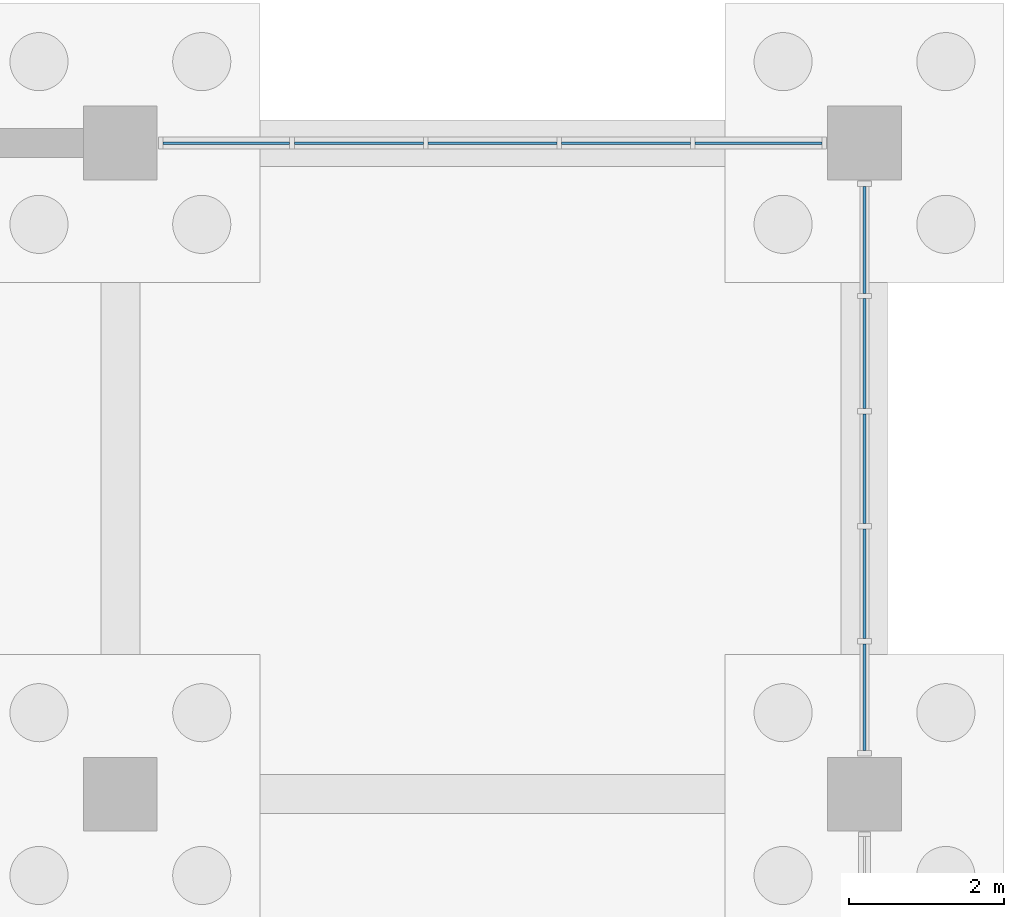
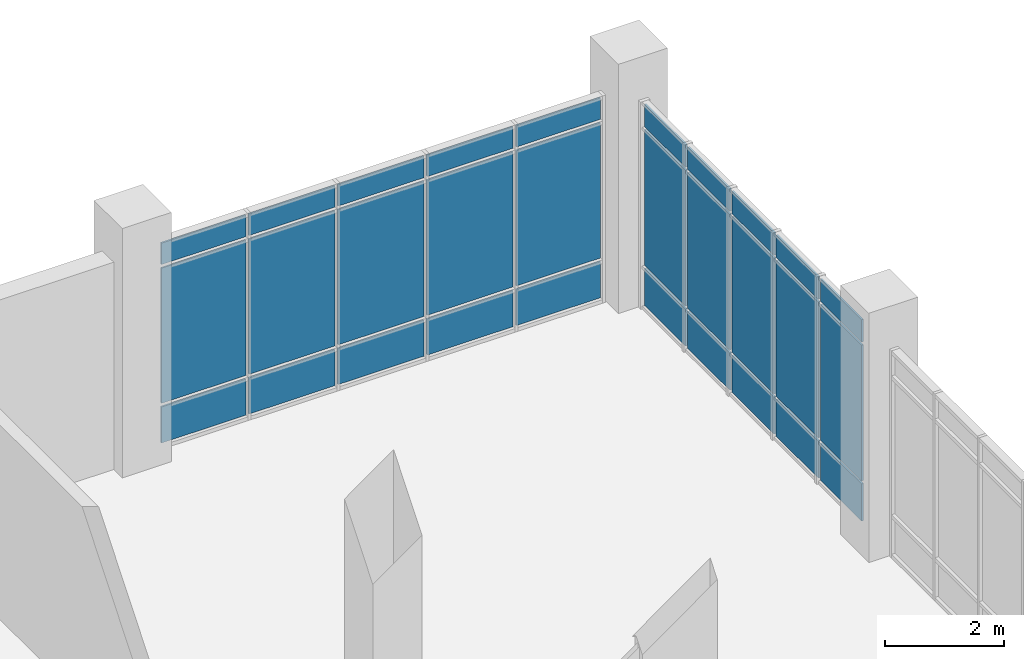
# One storey, part 93 of 136: 30 plates, 2 elements without a shape of their own.
"""IFC4 building model written with IfcOpenShell, lengths in metres."""

import ifcopenshell
import ifcopenshell.guid

model = None  # the IFC model being written
_history = None  # IfcOwnerHistory: only IFC2X3 demands one
_inside = {}  # id of a spatial element -> (the spatial element, [elements in it])
_under = {}  # id of a project, library or spatial element -> (it, [spatial elements below it])
_declared = {}  # id of a project -> (the project, [libraries it declares])
_typed = {}  # id of a type object -> (the type object, [elements of that type])
_made_of = {}  # id of a material, layer set ... -> (it, [elements and type objects made of it])


def new_model(schema):
    """Start an empty IFC model of exactly this schema.

    Asked for "IFC4X3", IfcOpenShell would pick the latest addendum, in which some entities
    have other attributes; the version numbers below select the first issue.
    IFC2X3 requires an IfcOwnerHistory on every rooted entity: one is made here for all.
    """
    global model, _history
    if schema == "IFC4X3":
        model = ifcopenshell.file(schema_version=(4, 3, 0, 0))
    else:
        model = ifcopenshell.file(schema=schema)
    _inside.clear()
    _under.clear()
    _declared.clear()
    _typed.clear()
    _made_of.clear()
    _history = None
    if model.schema == "IFC2X3":
        org = make("IfcOrganization", Name="unknown")
        user = make(
            "IfcPersonAndOrganization",
            ThePerson=make("IfcPerson", FamilyName="unknown"),
            TheOrganization=org,
        )
        app = make(
            "IfcApplication",
            ApplicationDeveloper=org,
            Version="unknown",
            ApplicationFullName="unknown",
            ApplicationIdentifier="unknown",
        )
        _history = make(
            "IfcOwnerHistory",
            OwningUser=user,
            OwningApplication=app,
            ChangeAction="ADDED",
            CreationDate=0,
        )
    return model


def make(cls, **values):
    """One entity of the class cls with the attributes given. An attribute that is None is left unset."""
    return model.create_entity(
        cls, **{name: value for name, value in values.items() if value is not None}
    )


def rooted(cls, **values):
    """An entity with a GlobalId (a new one), such as an element, a storey or a relation."""
    return make(cls, GlobalId=ifcopenshell.guid.new(), OwnerHistory=_history, **values)


def si_unit(unit_type, name, prefix=None):
    """IfcSIUnit, for example si_unit("LENGTHUNIT", "METRE", prefix="MILLI")."""
    return make("IfcSIUnit", UnitType=unit_type, Prefix=prefix, Name=name)


def assignment(units):
    """IfcUnitAssignment: the units of a project."""
    return None if units is None else make("IfcUnitAssignment", Units=units)


def point(xyz):
    """IfcCartesianPoint."""
    return None if xyz is None else make("IfcCartesianPoint", Coordinates=xyz)


def direction(xyz):
    """IfcDirection."""
    return None if xyz is None else make("IfcDirection", DirectionRatios=xyz)


def frame(location, z_axis=None, x_axis=None):
    """IfcAxis2Placement3D, a coordinate frame: its origin and axes. An axis left out is left unset."""
    return make(
        "IfcAxis2Placement3D",
        Location=point(location),
        Axis=direction(z_axis),
        RefDirection=direction(x_axis),
    )


def frame_2d(location, x_axis=None):
    """IfcAxis2Placement2D, a coordinate frame in the plane: its origin and x axis."""
    return make(
        "IfcAxis2Placement2D", Location=point(location), RefDirection=direction(x_axis)
    )


def origin():
    """The frame at (0, 0, 0) with its axes left unset."""
    return frame((0.0, 0.0, 0.0))


def origin_2d():
    """The frame at (0, 0) in the plane with its x axis left unset."""
    return frame_2d((0.0, 0.0))


def place(relative_to, where):
    """IfcLocalPlacement: puts the frame where relative to a parent placement (None: the world)."""
    return make(
        "IfcLocalPlacement", PlacementRelTo=relative_to, RelativePlacement=where
    )


def context(
    kind, dimensions, precision=None, world=None, true_north=None, identifier=None
):
    """IfcGeometricRepresentationContext, for example the 3D "Model" context."""
    return make(
        "IfcGeometricRepresentationContext",
        ContextIdentifier=identifier,
        ContextType=kind,
        CoordinateSpaceDimension=dimensions,
        Precision=precision,
        WorldCoordinateSystem=world,
        TrueNorth=true_north,
    )


def subcontext(parent, identifier, kind, view, scale=None):
    """IfcGeometricRepresentationSubContext, for example "Body" below "Model"."""
    return make(
        "IfcGeometricRepresentationSubContext",
        ContextIdentifier=identifier,
        ContextType=kind,
        ParentContext=parent,
        TargetScale=scale,
        TargetView=view,
    )


def project(units=None, contexts=None):
    """IfcProject with its units and contexts."""
    return rooted(
        "IfcProject",
        Name="project",
        RepresentationContexts=contexts,
        UnitsInContext=assignment(units),
    )


def spatial(cls, under=None, at=None, **own):
    """A site, building, storey or space (cls), placed at a placement, below another one or the project."""
    s = rooted(cls, ObjectPlacement=at, **own)
    if under is not None:
        _under.setdefault(under.id(), (under, []))[1].append(s)
    return s


def profile(cls, at=None, kind="AREA", **sizes):
    """A parametric profile (cls). Its sizes go by their IFC names, for example OverallWidth=200.0."""
    return make(cls, ProfileType=kind, Position=at, **sizes)


def rectangle(**sizes):
    """IfcRectangleProfileDef."""
    return profile("IfcRectangleProfileDef", **sizes)


def extrude(swept, where, along, depth):
    """IfcExtrudedAreaSolid: the profile swept, set in the frame where, extruded along a direction by depth."""
    return make(
        "IfcExtrudedAreaSolid",
        SweptArea=swept,
        Position=where,
        ExtrudedDirection=direction(along),
        Depth=depth,
    )


def shape(context_of_items, identifier, shape_type, items):
    """IfcShapeRepresentation: the items that make up one representation, for example the "Body"."""
    return make(
        "IfcShapeRepresentation",
        ContextOfItems=context_of_items,
        RepresentationIdentifier=identifier,
        RepresentationType=shape_type,
        Items=items,
    )


def material(Name=None, Category=None):
    """IfcMaterial."""
    return make("IfcMaterial", Name=Name, Category=Category)


def layer(
    of_material, thickness, ventilated=None, Name=None, Category=None, Priority=None
):
    """IfcMaterialLayer: one layer of a wall or slab, of a material (None: an air gap)."""
    return make(
        "IfcMaterialLayer",
        Material=of_material,
        LayerThickness=thickness,
        IsVentilated=ventilated,
        Name=Name,
        Category=Category,
        Priority=Priority,
    )


def layer_set(layers, Name=None):
    """IfcMaterialLayerSet."""
    return make("IfcMaterialLayerSet", MaterialLayers=layers, LayerSetName=Name)


def made_of(thing, what):
    """Note that an element or type object is made of a material, layer set ...; save() writes the relation."""
    if what is not None:
        _made_of.setdefault(what.id(), (what, []))[1].append(thing)
    return thing


def type_object(cls, material=None, **own):
    """A type object (cls), such as IfcWallType, which elements share."""
    return made_of(rooted(cls, **own), material)


def element(
    cls,
    number,
    at=None,
    inside=None,
    cuts=None,
    type_object=None,
    material=None,
    context=None,
    identifier="Body",
    shape_type=None,
    held_by="IfcProductDefinitionShape",
    body=None,
    shapes=None,
    **own,
):
    """One element of the class cls, such as IfcWall. Its Tag is "e" and its number.

    at: its placement. inside: the storey or other place that contains it. cuts: it is an
    opening in that element (IfcRelVoidsElement). A single representation is given by context,
    identifier, shape_type and body (its items); several are given by shapes. held_by: the class
    of the entity that holds the representations. save() writes the other relations.
    """
    e = rooted(cls, Tag="e%d" % number, ObjectPlacement=at, **own)
    if body is not None:
        shapes = [shape(context, identifier, shape_type, body)]
    if shapes is not None:
        e.Representation = make(held_by, Representations=shapes)
    if inside is not None:
        _inside.setdefault(inside.id(), (inside, []))[1].append(e)
    if cuts is not None:
        rooted(
            "IfcRelVoidsElement", RelatingBuildingElement=cuts, RelatedOpeningElement=e
        )
    if type_object is not None:
        _typed.setdefault(type_object.id(), (type_object, []))[1].append(e)
    return made_of(e, material)


def aggregate(whole, parts):
    """IfcRelAggregates: a whole, such as a stair, and the parts it consists of."""
    return rooted("IfcRelAggregates", RelatingObject=whole, RelatedObjects=parts)


def save(model, path):
    """Write the relations noted so far, then the file.

    IfcRelAggregates (storeys below a building ...), IfcRelContainedInSpatialStructure (elements
    in a storey), IfcRelDefinesByType, IfcRelAssociatesMaterial and IfcRelDeclares: one each for
    every whole, place, type object, material and project.
    """
    for whole, parts in _under.values():
        aggregate(whole, parts)
    for where, things in _inside.values():
        rooted(
            "IfcRelContainedInSpatialStructure",
            RelatedElements=things,
            RelatingStructure=where,
        )
    for kind, things in _typed.values():
        rooted("IfcRelDefinesByType", RelatedObjects=things, RelatingType=kind)
    for what, things in _made_of.values():
        rooted("IfcRelAssociatesMaterial", RelatedObjects=things, RelatingMaterial=what)
    for by, libraries in _declared.values():
        rooted("IfcRelDeclares", RelatingContext=by, RelatedDefinitions=libraries)
    model.write(path)


model = new_model("IFC4")

# Units and contexts
model_context = context("Model", 3, precision=1e-05, world=origin(), true_north=direction((0.0, 1.0)))
body_context = subcontext(model_context, "Body", "Model", "MODEL_VIEW")
ifc_project = project(units=[si_unit("LENGTHUNIT", "METRE"), si_unit("AREAUNIT", "SQUARE_METRE"), si_unit("VOLUMEUNIT", "CUBIC_METRE"), si_unit("PLANEANGLEUNIT", "RADIAN"), si_unit("MASSUNIT", "GRAM", prefix="KILO")], contexts=[model_context])

# Site, building, storey
site_placement = place(None, origin())
site = spatial("IfcSite", under=ifc_project, at=site_placement, CompositionType="ELEMENT")
building_placement = place(site_placement, origin())
building = spatial("IfcBuilding", under=site, at=building_placement, Name="Oolite Switchyard Hospital", CompositionType="ELEMENT")
storey_placement = place(building_placement, origin())
storey = spatial("IfcBuildingStorey", under=building, at=storey_placement, Name="L00", CompositionType="ELEMENT", Elevation=0.0)

# Curtain wall, plates
ifc_material_1 = material(Name="Thermally broken aluminum frame with laminated impact glazing", Category="aluminium")
curtain_wall_type_1 = type_object("IfcCurtainWallType", Name="CW-UNIT-96X51", PredefinedType="USERDEFINED", material=ifc_material_1)
curtain_wall_1_placement = place(storey_placement, origin())
curtain_wall_1 = element("IfcCurtainWall", 1, at=curtain_wall_1_placement, inside=storey, type_object=curtain_wall_type_1, Name="L00 Unitised Curtain Wall 51", ObjectType="UNITISED", PredefinedType="USERDEFINED")
ifc_material_2 = material(Name="Laminated hurricane-impact insulated glazing unit", Category="glass")
ifc_layer_1 = layer(ifc_material_2, 0.031982421875)
ifc_layer_set_1 = layer_set([ifc_layer_1], Name="CW-PNL-VIS32")
plate_type_1 = type_object("IfcPlateType", Name="CW-PNL-VIS32", PredefinedType="CURTAIN_PANEL", material=ifc_layer_set_1)
plate_1_placement = place(storey_placement, frame((202.967041015625, 134.39990234375, 0.0751953125), z_axis=(0.0, 0.0, 1.0), x_axis=(1.0, 0.0, 0.0)))
plate_1 = element("IfcPlate", 2, at=plate_1_placement, type_object=plate_type_1, Name="CW-01 panel 1.1", PredefinedType="CURTAIN_PANEL", context=body_context, shape_type="SweptSolid", body=[
    extrude(rectangle(XDim=1.634033203125, YDim=0.031982421875, at=origin_2d()), origin(), (0.0, 0.0, 1.0), 0.737548828125),
])
plate_2_placement = place(storey_placement, frame((202.967041015625, 134.39990234375, 0.8876953125), z_axis=(0.0, 0.0, 1.0), x_axis=(1.0, 0.0, 0.0)))
plate_2 = element("IfcPlate", 3, at=plate_2_placement, type_object=plate_type_1, Name="CW-01 panel 1.2", PredefinedType="CURTAIN_PANEL", context=body_context, shape_type="SweptSolid", body=[
    extrude(rectangle(XDim=1.634033203125, YDim=0.031982421875, at=origin_2d()), origin(), (0.0, 0.0, 1.0), 2.764892578125),
])
plate_3_placement = place(storey_placement, frame((202.967041015625, 134.39990234375, 3.7275390625), z_axis=(0.0, 0.0, 1.0), x_axis=(1.0, 0.0, 0.0)))
plate_3 = element("IfcPlate", 4, at=plate_3_placement, type_object=plate_type_1, Name="CW-01 panel 1.3", PredefinedType="CURTAIN_PANEL", context=body_context, shape_type="SweptSolid", body=[
    extrude(rectangle(XDim=1.634033203125, YDim=0.031982421875, at=origin_2d()), origin(), (0.0, 0.0, 1.0), 0.4375),
])
plate_4_placement = place(storey_placement, frame((204.676025390625, 134.39990234375, 0.0751953125), z_axis=(0.0, 0.0, 1.0), x_axis=(1.0, 0.0, 0.0)))
plate_4 = element("IfcPlate", 5, at=plate_4_placement, type_object=plate_type_1, Name="CW-01 panel 2.1", PredefinedType="CURTAIN_PANEL", context=body_context, shape_type="SweptSolid", body=[
    extrude(rectangle(XDim=1.6640625, YDim=0.031982421875, at=origin_2d()), origin(), (0.0, 0.0, 1.0), 0.737548828125),
])
plate_5_placement = place(storey_placement, frame((204.676025390625, 134.39990234375, 0.8876953125), z_axis=(0.0, 0.0, 1.0), x_axis=(1.0, 0.0, 0.0)))
plate_5 = element("IfcPlate", 6, at=plate_5_placement, type_object=plate_type_1, Name="CW-01 panel 2.2", PredefinedType="CURTAIN_PANEL", context=body_context, shape_type="SweptSolid", body=[
    extrude(rectangle(XDim=1.6640625, YDim=0.031982421875, at=origin_2d()), origin(), (0.0, 0.0, 1.0), 2.764892578125),
])
plate_6_placement = place(storey_placement, frame((204.676025390625, 134.39990234375, 3.7275390625), z_axis=(0.0, 0.0, 1.0), x_axis=(1.0, 0.0, 0.0)))
plate_6 = element("IfcPlate", 7, at=plate_6_placement, type_object=plate_type_1, Name="CW-01 panel 2.3", PredefinedType="CURTAIN_PANEL", context=body_context, shape_type="SweptSolid", body=[
    extrude(rectangle(XDim=1.6640625, YDim=0.031982421875, at=origin_2d()), origin(), (0.0, 0.0, 1.0), 0.4375),
])
plate_7_placement = place(storey_placement, frame((206.39990234375, 134.39990234375, 0.0751953125), z_axis=(0.0, 0.0, 1.0), x_axis=(1.0, 0.0, 0.0)))
plate_7 = element("IfcPlate", 8, at=plate_7_placement, type_object=plate_type_1, Name="CW-01 panel 3.1", PredefinedType="CURTAIN_PANEL", context=body_context, shape_type="SweptSolid", body=[
    extrude(rectangle(XDim=1.6640625, YDim=0.031982421875, at=origin_2d()), origin(), (0.0, 0.0, 1.0), 0.737548828125),
])
plate_8_placement = place(storey_placement, frame((206.39990234375, 134.39990234375, 0.8876953125), z_axis=(0.0, 0.0, 1.0), x_axis=(1.0, 0.0, 0.0)))
plate_8 = element("IfcPlate", 9, at=plate_8_placement, type_object=plate_type_1, Name="CW-01 panel 3.2", PredefinedType="CURTAIN_PANEL", context=body_context, shape_type="SweptSolid", body=[
    extrude(rectangle(XDim=1.6640625, YDim=0.031982421875, at=origin_2d()), origin(), (0.0, 0.0, 1.0), 2.764892578125),
])
plate_9_placement = place(storey_placement, frame((206.39990234375, 134.39990234375, 3.7275390625), z_axis=(0.0, 0.0, 1.0), x_axis=(1.0, 0.0, 0.0)))
plate_9 = element("IfcPlate", 10, at=plate_9_placement, type_object=plate_type_1, Name="CW-01 panel 3.3", PredefinedType="CURTAIN_PANEL", context=body_context, shape_type="SweptSolid", body=[
    extrude(rectangle(XDim=1.6640625, YDim=0.031982421875, at=origin_2d()), origin(), (0.0, 0.0, 1.0), 0.4375),
])
plate_10_placement = place(storey_placement, frame((208.1240234375, 134.39990234375, 0.0751953125), z_axis=(0.0, 0.0, 1.0), x_axis=(1.0, 0.0, 0.0)))
plate_10 = element("IfcPlate", 11, at=plate_10_placement, type_object=plate_type_1, Name="CW-01 panel 4.1", PredefinedType="CURTAIN_PANEL", context=body_context, shape_type="SweptSolid", body=[
    extrude(rectangle(XDim=1.6640625, YDim=0.031982421875, at=origin_2d()), origin(), (0.0, 0.0, 1.0), 0.737548828125),
])
plate_11_placement = place(storey_placement, frame((208.1240234375, 134.39990234375, 0.8876953125), z_axis=(0.0, 0.0, 1.0), x_axis=(1.0, 0.0, 0.0)))
plate_11 = element("IfcPlate", 12, at=plate_11_placement, type_object=plate_type_1, Name="CW-01 panel 4.2", PredefinedType="CURTAIN_PANEL", context=body_context, shape_type="SweptSolid", body=[
    extrude(rectangle(XDim=1.6640625, YDim=0.031982421875, at=origin_2d()), origin(), (0.0, 0.0, 1.0), 2.764892578125),
])
plate_12_placement = place(storey_placement, frame((208.1240234375, 134.39990234375, 3.7275390625), z_axis=(0.0, 0.0, 1.0), x_axis=(1.0, 0.0, 0.0)))
plate_12 = element("IfcPlate", 13, at=plate_12_placement, type_object=plate_type_1, Name="CW-01 panel 4.3", PredefinedType="CURTAIN_PANEL", context=body_context, shape_type="SweptSolid", body=[
    extrude(rectangle(XDim=1.6640625, YDim=0.031982421875, at=origin_2d()), origin(), (0.0, 0.0, 1.0), 0.4375),
])
plate_13_placement = place(storey_placement, frame((209.8330078125, 134.39990234375, 0.0751953125), z_axis=(0.0, 0.0, 1.0), x_axis=(1.0, 0.0, 0.0)))
plate_13 = element("IfcPlate", 14, at=plate_13_placement, type_object=plate_type_1, Name="CW-01 panel 5.1", PredefinedType="CURTAIN_PANEL", context=body_context, shape_type="SweptSolid", body=[
    extrude(rectangle(XDim=1.634033203125, YDim=0.031982421875, at=origin_2d()), origin(), (0.0, 0.0, 1.0), 0.737548828125),
])
plate_14_placement = place(storey_placement, frame((209.8330078125, 134.39990234375, 0.8876953125), z_axis=(0.0, 0.0, 1.0), x_axis=(1.0, 0.0, 0.0)))
plate_14 = element("IfcPlate", 15, at=plate_14_placement, type_object=plate_type_1, Name="CW-01 panel 5.2", PredefinedType="CURTAIN_PANEL", context=body_context, shape_type="SweptSolid", body=[
    extrude(rectangle(XDim=1.634033203125, YDim=0.031982421875, at=origin_2d()), origin(), (0.0, 0.0, 1.0), 2.764892578125),
])
plate_15_placement = place(storey_placement, frame((209.8330078125, 134.39990234375, 3.7275390625), z_axis=(0.0, 0.0, 1.0), x_axis=(1.0, 0.0, 0.0)))
plate_15 = element("IfcPlate", 16, at=plate_15_placement, type_object=plate_type_1, Name="CW-01 panel 5.3", PredefinedType="CURTAIN_PANEL", context=body_context, shape_type="SweptSolid", body=[
    extrude(rectangle(XDim=1.634033203125, YDim=0.031982421875, at=origin_2d()), origin(), (0.0, 0.0, 1.0), 0.4375),
])
aggregate(curtain_wall_1, [plate_1, plate_2, plate_3, plate_4, plate_5, plate_6, plate_7, plate_8, plate_9, plate_10, plate_11, plate_12, plate_13, plate_14, plate_15])

curtain_wall_type_2 = type_object("IfcCurtainWallType", Name="CW-UNIT-84X51", PredefinedType="USERDEFINED", material=ifc_material_1)
curtain_wall_2_placement = place(storey_placement, origin())
curtain_wall_2 = element("IfcCurtainWall", 17, at=curtain_wall_2_placement, inside=storey, type_object=curtain_wall_type_2, Name="L00 Unitised Curtain Wall 94", ObjectType="UNITISED", PredefinedType="USERDEFINED")
ifc_layer_2 = layer(ifc_material_2, 0.035888671875)
ifc_layer_set_2 = layer_set([ifc_layer_2], Name="CW-PNL-VIS36")
plate_type_2 = type_object("IfcPlateType", Name="CW-PNL-VIS36", PredefinedType="CURTAIN_PANEL", material=ifc_layer_set_2)
plate_16_placement = place(storey_placement, frame((211.199951171875, 133.150390625, 0.06005859375), z_axis=(0.0, 0.0, 1.0), x_axis=(0.0, -1.0, 0.0)))
plate_16 = element("IfcPlate", 18, at=plate_16_placement, type_object=plate_type_2, Name="CW-06 panel 1.1", PredefinedType="CURTAIN_PANEL", context=body_context, shape_type="SweptSolid", body=[
    extrude(rectangle(XDim=1.37890625, YDim=0.035888671875, at=origin_2d()), origin(), (0.0, 0.0, 1.0), 0.760009765625),
])
plate_17_placement = place(storey_placement, frame((211.199951171875, 133.150390625, 0.8798828125), z_axis=(0.0, 0.0, 1.0), x_axis=(0.0, -1.0, 0.0)))
plate_17 = element("IfcPlate", 19, at=plate_17_placement, type_object=plate_type_2, Name="CW-06 panel 1.2", PredefinedType="CURTAIN_PANEL", context=body_context, shape_type="SweptSolid", body=[
    extrude(rectangle(XDim=1.37890625, YDim=0.035888671875, at=origin_2d()), origin(), (0.0, 0.0, 1.0), 2.780029296875),
])
plate_18_placement = place(storey_placement, frame((211.199951171875, 133.150390625, 3.719970703125), z_axis=(0.0, 0.0, 1.0), x_axis=(0.0, -1.0, 0.0)))
plate_18 = element("IfcPlate", 20, at=plate_18_placement, type_object=plate_type_2, Name="CW-06 panel 1.3", PredefinedType="CURTAIN_PANEL", context=body_context, shape_type="SweptSolid", body=[
    extrude(rectangle(XDim=1.37890625, YDim=0.035888671875, at=origin_2d()), origin(), (0.0, 0.0, 1.0), 0.4599609375),
])
plate_19_placement = place(storey_placement, frame((211.199951171875, 131.68408203125, 0.06005859375), z_axis=(0.0, 0.0, 1.0), x_axis=(0.0, -1.0, 0.0)))
plate_19 = element("IfcPlate", 21, at=plate_19_placement, type_object=plate_type_2, Name="CW-06 panel 2.1", PredefinedType="CURTAIN_PANEL", context=body_context, shape_type="SweptSolid", body=[
    extrude(rectangle(XDim=1.4140625, YDim=0.035888671875, at=origin_2d()), origin(), (0.0, 0.0, 1.0), 0.760009765625),
])
plate_20_placement = place(storey_placement, frame((211.199951171875, 131.68408203125, 0.8798828125), z_axis=(0.0, 0.0, 1.0), x_axis=(0.0, -1.0, 0.0)))
plate_20 = element("IfcPlate", 22, at=plate_20_placement, type_object=plate_type_2, Name="CW-06 panel 2.2", PredefinedType="CURTAIN_PANEL", context=body_context, shape_type="SweptSolid", body=[
    extrude(rectangle(XDim=1.4140625, YDim=0.035888671875, at=origin_2d()), origin(), (0.0, 0.0, 1.0), 2.780029296875),
])
plate_21_placement = place(storey_placement, frame((211.199951171875, 131.68408203125, 3.719970703125), z_axis=(0.0, 0.0, 1.0), x_axis=(0.0, -1.0, 0.0)))
plate_21 = element("IfcPlate", 23, at=plate_21_placement, type_object=plate_type_2, Name="CW-06 panel 2.3", PredefinedType="CURTAIN_PANEL", context=body_context, shape_type="SweptSolid", body=[
    extrude(rectangle(XDim=1.4140625, YDim=0.035888671875, at=origin_2d()), origin(), (0.0, 0.0, 1.0), 0.4599609375),
])
plate_22_placement = place(storey_placement, frame((211.199951171875, 130.199951171875, 0.06005859375), z_axis=(0.0, 0.0, 1.0), x_axis=(0.0, -1.0, 0.0)))
plate_22 = element("IfcPlate", 24, at=plate_22_placement, type_object=plate_type_2, Name="CW-06 panel 3.1", PredefinedType="CURTAIN_PANEL", context=body_context, shape_type="SweptSolid", body=[
    extrude(rectangle(XDim=1.4140625, YDim=0.035888671875, at=origin_2d()), origin(), (0.0, 0.0, 1.0), 0.760009765625),
])
plate_23_placement = place(storey_placement, frame((211.199951171875, 130.199951171875, 0.8798828125), z_axis=(0.0, 0.0, 1.0), x_axis=(0.0, -1.0, 0.0)))
plate_23 = element("IfcPlate", 25, at=plate_23_placement, type_object=plate_type_2, Name="CW-06 panel 3.2", PredefinedType="CURTAIN_PANEL", context=body_context, shape_type="SweptSolid", body=[
    extrude(rectangle(XDim=1.4140625, YDim=0.035888671875, at=origin_2d()), origin(), (0.0, 0.0, 1.0), 2.780029296875),
])
plate_24_placement = place(storey_placement, frame((211.199951171875, 130.199951171875, 3.719970703125), z_axis=(0.0, 0.0, 1.0), x_axis=(0.0, -1.0, 0.0)))
plate_24 = element("IfcPlate", 26, at=plate_24_placement, type_object=plate_type_2, Name="CW-06 panel 3.3", PredefinedType="CURTAIN_PANEL", context=body_context, shape_type="SweptSolid", body=[
    extrude(rectangle(XDim=1.4140625, YDim=0.035888671875, at=origin_2d()), origin(), (0.0, 0.0, 1.0), 0.4599609375),
])
plate_25_placement = place(storey_placement, frame((211.199951171875, 128.716064453125, 0.06005859375), z_axis=(0.0, 0.0, 1.0), x_axis=(0.0, -1.0, 0.0)))
plate_25 = element("IfcPlate", 27, at=plate_25_placement, type_object=plate_type_2, Name="CW-06 panel 4.1", PredefinedType="CURTAIN_PANEL", context=body_context, shape_type="SweptSolid", body=[
    extrude(rectangle(XDim=1.4140625, YDim=0.035888671875, at=origin_2d()), origin(), (0.0, 0.0, 1.0), 0.760009765625),
])
plate_26_placement = place(storey_placement, frame((211.199951171875, 128.716064453125, 0.8798828125), z_axis=(0.0, 0.0, 1.0), x_axis=(0.0, -1.0, 0.0)))
plate_26 = element("IfcPlate", 28, at=plate_26_placement, type_object=plate_type_2, Name="CW-06 panel 4.2", PredefinedType="CURTAIN_PANEL", context=body_context, shape_type="SweptSolid", body=[
    extrude(rectangle(XDim=1.4140625, YDim=0.035888671875, at=origin_2d()), origin(), (0.0, 0.0, 1.0), 2.780029296875),
])
plate_27_placement = place(storey_placement, frame((211.199951171875, 128.716064453125, 3.719970703125), z_axis=(0.0, 0.0, 1.0), x_axis=(0.0, -1.0, 0.0)))
plate_27 = element("IfcPlate", 29, at=plate_27_placement, type_object=plate_type_2, Name="CW-06 panel 4.3", PredefinedType="CURTAIN_PANEL", context=body_context, shape_type="SweptSolid", body=[
    extrude(rectangle(XDim=1.4140625, YDim=0.035888671875, at=origin_2d()), origin(), (0.0, 0.0, 1.0), 0.4599609375),
])
plate_28_placement = place(storey_placement, frame((211.199951171875, 127.24951171875, 0.06005859375), z_axis=(0.0, 0.0, 1.0), x_axis=(0.0, -1.0, 0.0)))
plate_28 = element("IfcPlate", 30, at=plate_28_placement, type_object=plate_type_2, Name="CW-06 panel 5.1", PredefinedType="CURTAIN_PANEL", context=body_context, shape_type="SweptSolid", body=[
    extrude(rectangle(XDim=1.37890625, YDim=0.035888671875, at=origin_2d()), origin(), (0.0, 0.0, 1.0), 0.760009765625),
])
plate_29_placement = place(storey_placement, frame((211.199951171875, 127.24951171875, 0.8798828125), z_axis=(0.0, 0.0, 1.0), x_axis=(0.0, -1.0, 0.0)))
plate_29 = element("IfcPlate", 31, at=plate_29_placement, type_object=plate_type_2, Name="CW-06 panel 5.2", PredefinedType="CURTAIN_PANEL", context=body_context, shape_type="SweptSolid", body=[
    extrude(rectangle(XDim=1.37890625, YDim=0.035888671875, at=origin_2d()), origin(), (0.0, 0.0, 1.0), 2.780029296875),
])
plate_30_placement = place(storey_placement, frame((211.199951171875, 127.24951171875, 3.719970703125), z_axis=(0.0, 0.0, 1.0), x_axis=(0.0, -1.0, 0.0)))
plate_30 = element("IfcPlate", 32, at=plate_30_placement, type_object=plate_type_2, Name="CW-06 panel 5.3", PredefinedType="CURTAIN_PANEL", context=body_context, shape_type="SweptSolid", body=[
    extrude(rectangle(XDim=1.37890625, YDim=0.035888671875, at=origin_2d()), origin(), (0.0, 0.0, 1.0), 0.4599609375),
])
aggregate(curtain_wall_2, [plate_16, plate_17, plate_18, plate_19, plate_20, plate_21, plate_22, plate_23, plate_24, plate_25, plate_26, plate_27, plate_28, plate_29, plate_30])

save(model, "model.ifc")
